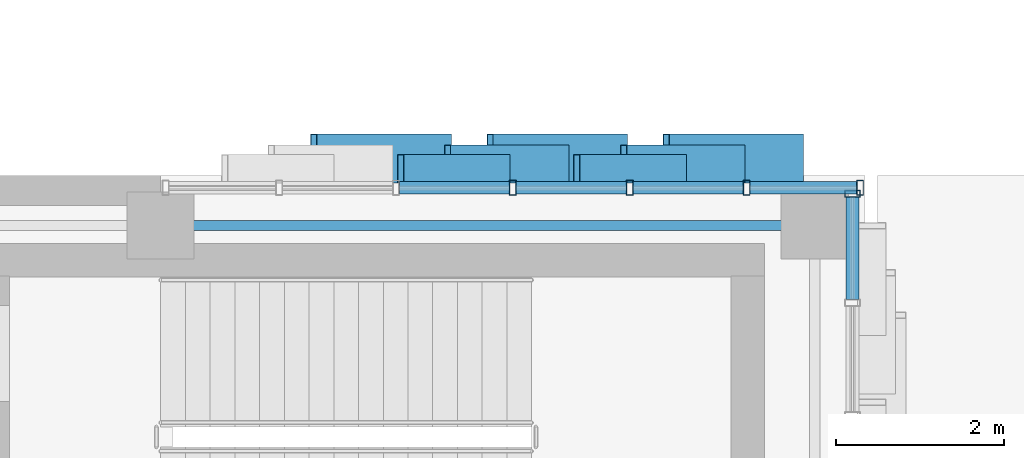
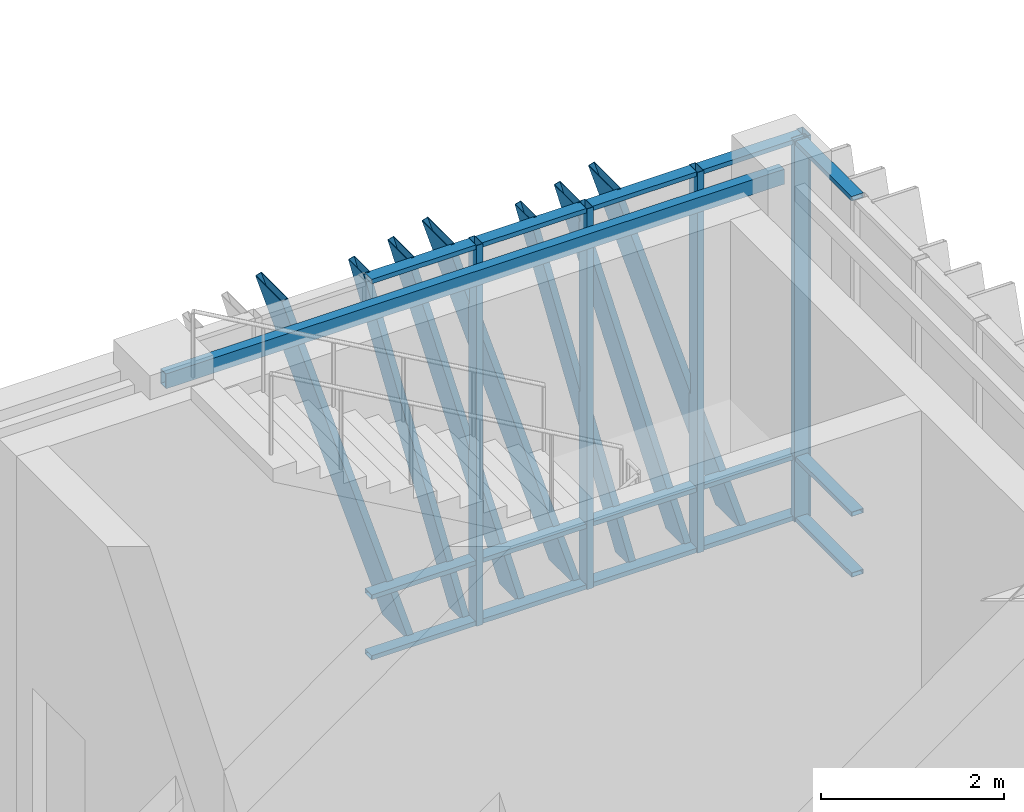
# One storey, part 65 of 122: 27 members, 1 beam, 2 elements without a shape of their own.
"""IFC4 building model written with IfcOpenShell, lengths in metres."""

import ifcopenshell
import ifcopenshell.guid

model = None  # the IFC model being written
_history = None  # IfcOwnerHistory: only IFC2X3 demands one
_inside = {}  # id of a spatial element -> (the spatial element, [elements in it])
_under = {}  # id of a project, library or spatial element -> (it, [spatial elements below it])
_declared = {}  # id of a project -> (the project, [libraries it declares])
_typed = {}  # id of a type object -> (the type object, [elements of that type])
_made_of = {}  # id of a material, layer set ... -> (it, [elements and type objects made of it])


def new_model(schema):
    """Start an empty IFC model of exactly this schema.

    Asked for "IFC4X3", IfcOpenShell would pick the latest addendum, in which some entities
    have other attributes; the version numbers below select the first issue.
    IFC2X3 requires an IfcOwnerHistory on every rooted entity: one is made here for all.
    """
    global model, _history
    if schema == "IFC4X3":
        model = ifcopenshell.file(schema_version=(4, 3, 0, 0))
    else:
        model = ifcopenshell.file(schema=schema)
    _inside.clear()
    _under.clear()
    _declared.clear()
    _typed.clear()
    _made_of.clear()
    _history = None
    if model.schema == "IFC2X3":
        org = make("IfcOrganization", Name="unknown")
        user = make(
            "IfcPersonAndOrganization",
            ThePerson=make("IfcPerson", FamilyName="unknown"),
            TheOrganization=org,
        )
        app = make(
            "IfcApplication",
            ApplicationDeveloper=org,
            Version="unknown",
            ApplicationFullName="unknown",
            ApplicationIdentifier="unknown",
        )
        _history = make(
            "IfcOwnerHistory",
            OwningUser=user,
            OwningApplication=app,
            ChangeAction="ADDED",
            CreationDate=0,
        )
    return model


def make(cls, **values):
    """One entity of the class cls with the attributes given. An attribute that is None is left unset."""
    return model.create_entity(
        cls, **{name: value for name, value in values.items() if value is not None}
    )


def rooted(cls, **values):
    """An entity with a GlobalId (a new one), such as an element, a storey or a relation."""
    return make(cls, GlobalId=ifcopenshell.guid.new(), OwnerHistory=_history, **values)


def si_unit(unit_type, name, prefix=None):
    """IfcSIUnit, for example si_unit("LENGTHUNIT", "METRE", prefix="MILLI")."""
    return make("IfcSIUnit", UnitType=unit_type, Prefix=prefix, Name=name)


def assignment(units):
    """IfcUnitAssignment: the units of a project."""
    return None if units is None else make("IfcUnitAssignment", Units=units)


def point(xyz):
    """IfcCartesianPoint."""
    return None if xyz is None else make("IfcCartesianPoint", Coordinates=xyz)


def direction(xyz):
    """IfcDirection."""
    return None if xyz is None else make("IfcDirection", DirectionRatios=xyz)


def frame(location, z_axis=None, x_axis=None):
    """IfcAxis2Placement3D, a coordinate frame: its origin and axes. An axis left out is left unset."""
    return make(
        "IfcAxis2Placement3D",
        Location=point(location),
        Axis=direction(z_axis),
        RefDirection=direction(x_axis),
    )


def frame_2d(location, x_axis=None):
    """IfcAxis2Placement2D, a coordinate frame in the plane: its origin and x axis."""
    return make(
        "IfcAxis2Placement2D", Location=point(location), RefDirection=direction(x_axis)
    )


def origin():
    """The frame at (0, 0, 0) with its axes left unset."""
    return frame((0.0, 0.0, 0.0))


def origin_2d():
    """The frame at (0, 0) in the plane with its x axis left unset."""
    return frame_2d((0.0, 0.0))


def place(relative_to, where):
    """IfcLocalPlacement: puts the frame where relative to a parent placement (None: the world)."""
    return make(
        "IfcLocalPlacement", PlacementRelTo=relative_to, RelativePlacement=where
    )


def context(
    kind, dimensions, precision=None, world=None, true_north=None, identifier=None
):
    """IfcGeometricRepresentationContext, for example the 3D "Model" context."""
    return make(
        "IfcGeometricRepresentationContext",
        ContextIdentifier=identifier,
        ContextType=kind,
        CoordinateSpaceDimension=dimensions,
        Precision=precision,
        WorldCoordinateSystem=world,
        TrueNorth=true_north,
    )


def subcontext(parent, identifier, kind, view, scale=None):
    """IfcGeometricRepresentationSubContext, for example "Body" below "Model"."""
    return make(
        "IfcGeometricRepresentationSubContext",
        ContextIdentifier=identifier,
        ContextType=kind,
        ParentContext=parent,
        TargetScale=scale,
        TargetView=view,
    )


def project(units=None, contexts=None):
    """IfcProject with its units and contexts."""
    return rooted(
        "IfcProject",
        Name="project",
        RepresentationContexts=contexts,
        UnitsInContext=assignment(units),
    )


def spatial(cls, under=None, at=None, **own):
    """A site, building, storey or space (cls), placed at a placement, below another one or the project."""
    s = rooted(cls, ObjectPlacement=at, **own)
    if under is not None:
        _under.setdefault(under.id(), (under, []))[1].append(s)
    return s


def profile(cls, at=None, kind="AREA", **sizes):
    """A parametric profile (cls). Its sizes go by their IFC names, for example OverallWidth=200.0."""
    return make(cls, ProfileType=kind, Position=at, **sizes)


def hollow_rectangle(**sizes):
    """IfcRectangleHollowProfileDef."""
    return profile("IfcRectangleHollowProfileDef", **sizes)


def extrude(swept, where, along, depth):
    """IfcExtrudedAreaSolid: the profile swept, set in the frame where, extruded along a direction by depth."""
    return make(
        "IfcExtrudedAreaSolid",
        SweptArea=swept,
        Position=where,
        ExtrudedDirection=direction(along),
        Depth=depth,
    )


def shape(context_of_items, identifier, shape_type, items):
    """IfcShapeRepresentation: the items that make up one representation, for example the "Body"."""
    return make(
        "IfcShapeRepresentation",
        ContextOfItems=context_of_items,
        RepresentationIdentifier=identifier,
        RepresentationType=shape_type,
        Items=items,
    )


def material(Name=None, Category=None):
    """IfcMaterial."""
    return make("IfcMaterial", Name=Name, Category=Category)


def layer(
    of_material, thickness, ventilated=None, Name=None, Category=None, Priority=None
):
    """IfcMaterialLayer: one layer of a wall or slab, of a material (None: an air gap)."""
    return make(
        "IfcMaterialLayer",
        Material=of_material,
        LayerThickness=thickness,
        IsVentilated=ventilated,
        Name=Name,
        Category=Category,
        Priority=Priority,
    )


def layer_set(layers, Name=None):
    """IfcMaterialLayerSet."""
    return make("IfcMaterialLayerSet", MaterialLayers=layers, LayerSetName=Name)


def material_profile(
    of_material, cross_section, Name=None, Category=None, Priority=None
):
    """IfcMaterialProfile: a cross section and its material."""
    return make(
        "IfcMaterialProfile",
        Name=Name,
        Material=of_material,
        Profile=cross_section,
        Priority=Priority,
        Category=Category,
    )


def profile_set(profiles, Name=None, composite=None):
    """IfcMaterialProfileSet."""
    return make(
        "IfcMaterialProfileSet",
        Name=Name,
        MaterialProfiles=profiles,
        CompositeProfile=composite,
    )


def made_of(thing, what):
    """Note that an element or type object is made of a material, layer set ...; save() writes the relation."""
    if what is not None:
        _made_of.setdefault(what.id(), (what, []))[1].append(thing)
    return thing


def type_object(cls, material=None, **own):
    """A type object (cls), such as IfcWallType, which elements share."""
    return made_of(rooted(cls, **own), material)


def element(
    cls,
    number,
    at=None,
    inside=None,
    cuts=None,
    type_object=None,
    material=None,
    context=None,
    identifier="Body",
    shape_type=None,
    held_by="IfcProductDefinitionShape",
    body=None,
    shapes=None,
    **own,
):
    """One element of the class cls, such as IfcWall. Its Tag is "e" and its number.

    at: its placement. inside: the storey or other place that contains it. cuts: it is an
    opening in that element (IfcRelVoidsElement). A single representation is given by context,
    identifier, shape_type and body (its items); several are given by shapes. held_by: the class
    of the entity that holds the representations. save() writes the other relations.
    """
    e = rooted(cls, Tag="e%d" % number, ObjectPlacement=at, **own)
    if body is not None:
        shapes = [shape(context, identifier, shape_type, body)]
    if shapes is not None:
        e.Representation = make(held_by, Representations=shapes)
    if inside is not None:
        _inside.setdefault(inside.id(), (inside, []))[1].append(e)
    if cuts is not None:
        rooted(
            "IfcRelVoidsElement", RelatingBuildingElement=cuts, RelatedOpeningElement=e
        )
    if type_object is not None:
        _typed.setdefault(type_object.id(), (type_object, []))[1].append(e)
    return made_of(e, material)


def aggregate(whole, parts):
    """IfcRelAggregates: a whole, such as a stair, and the parts it consists of."""
    return rooted("IfcRelAggregates", RelatingObject=whole, RelatedObjects=parts)


def save(model, path):
    """Write the relations noted so far, then the file.

    IfcRelAggregates (storeys below a building ...), IfcRelContainedInSpatialStructure (elements
    in a storey), IfcRelDefinesByType, IfcRelAssociatesMaterial and IfcRelDeclares: one each for
    every whole, place, type object, material and project.
    """
    for whole, parts in _under.values():
        aggregate(whole, parts)
    for where, things in _inside.values():
        rooted(
            "IfcRelContainedInSpatialStructure",
            RelatedElements=things,
            RelatingStructure=where,
        )
    for kind, things in _typed.values():
        rooted("IfcRelDefinesByType", RelatedObjects=things, RelatingType=kind)
    for what, things in _made_of.values():
        rooted("IfcRelAssociatesMaterial", RelatedObjects=things, RelatingMaterial=what)
    for by, libraries in _declared.values():
        rooted("IfcRelDeclares", RelatingContext=by, RelatedDefinitions=libraries)
    model.write(path)


model = new_model("IFC4")

# Units and contexts
model_context = context("Model", 3, precision=1e-05, world=origin(), true_north=direction((0.0, 1.0)))
body_context = subcontext(model_context, "Body", "Model", "MODEL_VIEW")
ifc_project = project(units=[si_unit("LENGTHUNIT", "METRE"), si_unit("AREAUNIT", "SQUARE_METRE"), si_unit("VOLUMEUNIT", "CUBIC_METRE"), si_unit("PLANEANGLEUNIT", "RADIAN"), si_unit("MASSUNIT", "GRAM", prefix="KILO")], contexts=[model_context])

# Site, building, storey
site_placement = place(None, origin())
site = spatial("IfcSite", under=ifc_project, at=site_placement, CompositionType="ELEMENT")
building_placement = place(site_placement, origin())
building = spatial("IfcBuilding", under=site, at=building_placement, Name="Zayran Congress Hotel", CompositionType="ELEMENT")
storey_placement = place(building_placement, origin())
storey = spatial("IfcBuildingStorey", under=building, at=storey_placement, Name="L00", CompositionType="ELEMENT", Elevation=0.0)

# Beam
ifc_material_1 = material(Name="Steel S355", Category="steel")
ifc_material_profile_1 = material_profile(ifc_material_1, hollow_rectangle(XDim=0.1201171875, YDim=0.199951171875, WallThickness=0.008056640625, at=origin_2d()), Name="RHS 200x120x8")
ifc_profile_set_1 = profile_set([ifc_material_profile_1], Name="Steel S355")
beam_type = type_object("IfcBeamType", Name="TP-SP-02", PredefinedType="SPANDREL", material=ifc_profile_set_1)
beam_placement = place(storey_placement, frame((84.0, 117.39990234375, 4.97998046875), z_axis=(1.0, 0.0, 0.0), x_axis=(0.0, 1.0, 0.0)))
element("IfcBeam", 1, at=beam_placement, inside=storey, type_object=beam_type, Name="BM-V1-L00-0444", PredefinedType="SPANDREL", context=body_context, shape_type="SweptSolid", body=[
    extrude(hollow_rectangle(XDim=0.1201171875, YDim=0.199951171875, WallThickness=0.008056640625, at=origin_2d()), origin(), (0.0, 0.0, 1.0), 7.800048828125),
])

# Curtain wall, members
ifc_material_2 = material(Name="Anodised aluminium and low-E insulated glass", Category="aluminium")
ifc_layer_1 = layer(ifc_material_2, 0.179931640625)
ifc_layer_set_1 = layer_set([ifc_layer_1], Name="Anodised aluminium and low-E insulated glass")
curtain_wall_type_1 = type_object("IfcCurtainWallType", Name="CW-V1N-L00-CW-21-8360-5080", PredefinedType="USERDEFINED", material=ifc_layer_set_1)
curtain_wall_1_placement = place(storey_placement, origin())
curtain_wall_1 = element("IfcCurtainWall", 2, at=curtain_wall_1_placement, inside=storey, type_object=curtain_wall_type_1, Name="CW-V1N-L00-9", ObjectType="CURTAIN WALL", PredefinedType="USERDEFINED")
ifc_material_3 = material(Name="Anodised aluminium framing", Category="aluminium")
ifc_material_profile_2 = material_profile(ifc_material_3, hollow_rectangle(XDim=0.080078125, YDim=0.179931640625, WallThickness=0.0048828125, at=origin_2d()), Name="RHS 180x80x5")
ifc_profile_set_2 = profile_set([ifc_material_profile_2], Name="Anodised aluminium framing")
member_type_1 = type_object("IfcMemberType", Name="TP-CWM-01", PredefinedType="MULLION", material=ifc_profile_set_2)
member_1_placement = place(storey_placement, frame((92.340087890625, 117.85009765625, 0.0), z_axis=(0.0, 0.0, 1.0), x_axis=(1.0, 0.0, 0.0)))
member_1 = element("IfcMember", 3, at=member_1_placement, type_object=member_type_1, Name="CW-V1N-L00-9-M00", PredefinedType="MULLION", context=body_context, shape_type="SweptSolid", body=[
    extrude(hollow_rectangle(XDim=0.080078125, YDim=0.179931640625, WallThickness=0.0048828125, at=origin_2d()), origin(), (0.0, 0.0, 1.0), 5.080078125),
])
member_2_placement = place(storey_placement, frame((90.98681640625, 117.85009765625, 0.0), z_axis=(0.0, 0.0, 1.0), x_axis=(1.0, 0.0, 0.0)))
member_2 = element("IfcMember", 4, at=member_2_placement, type_object=member_type_1, Name="CW-V1N-L00-9-M01", PredefinedType="MULLION", context=body_context, shape_type="SweptSolid", body=[
    extrude(hollow_rectangle(XDim=0.080078125, YDim=0.179931640625, WallThickness=0.0048828125, at=origin_2d()), origin(), (0.0, 0.0, 1.0), 5.080078125),
])
member_3_placement = place(storey_placement, frame((89.59326171875, 117.85009765625, 0.0), z_axis=(0.0, 0.0, 1.0), x_axis=(1.0, 0.0, 0.0)))
member_3 = element("IfcMember", 5, at=member_3_placement, type_object=member_type_1, Name="CW-V1N-L00-9-M02", PredefinedType="MULLION", context=body_context, shape_type="SweptSolid", body=[
    extrude(hollow_rectangle(XDim=0.080078125, YDim=0.179931640625, WallThickness=0.0048828125, at=origin_2d()), origin(), (0.0, 0.0, 1.0), 5.080078125),
])
member_4_placement = place(storey_placement, frame((88.199951171875, 117.85009765625, 0.0), z_axis=(0.0, 0.0, 1.0), x_axis=(1.0, 0.0, 0.0)))
member_4 = element("IfcMember", 6, at=member_4_placement, type_object=member_type_1, Name="CW-V1N-L00-9-M03", PredefinedType="MULLION", context=body_context, shape_type="SweptSolid", body=[
    extrude(hollow_rectangle(XDim=0.080078125, YDim=0.179931640625, WallThickness=0.0048828125, at=origin_2d()), origin(), (0.0, 0.0, 1.0), 5.080078125),
])

# Curtain wall, member
ifc_layer_2 = layer(ifc_material_2, 0.179931640625)
ifc_layer_set_2 = layer_set([ifc_layer_2], Name="Anodised aluminium and low-E insulated glass")
curtain_wall_type_2 = type_object("IfcCurtainWallType", Name="CW-V1E-L00-CW-42-8040-5080", PredefinedType="USERDEFINED", material=ifc_layer_set_2)
curtain_wall_2_placement = place(storey_placement, origin())
curtain_wall_2 = element("IfcCurtainWall", 7, at=curtain_wall_2_placement, inside=storey, type_object=curtain_wall_type_2, Name="CW-V1E-L00-5", ObjectType="CURTAIN WALL", PredefinedType="USERDEFINED")
member_5_placement = place(storey_placement, frame((92.25, 117.780029296875, 0.0), z_axis=(0.0, 0.0, 1.0), x_axis=(0.0, 1.0, 0.0)))
member_5 = element("IfcMember", 8, at=member_5_placement, type_object=member_type_1, Name="CW-V1E-L00-5-M06", PredefinedType="MULLION", context=body_context, shape_type="SweptSolid", body=[
    extrude(hollow_rectangle(XDim=0.080078125, YDim=0.179931640625, WallThickness=0.0048828125, at=origin_2d()), origin(), (0.0, 0.0, 1.0), 5.080078125),
])

# Member
ifc_material_profile_3 = material_profile(ifc_material_3, hollow_rectangle(XDim=0.06005859375, YDim=0.14990234375, WallThickness=0.00390625, at=origin_2d()), Name="RHS 150x60x4")
ifc_profile_set_3 = profile_set([ifc_material_profile_3], Name="Anodised aluminium framing")
member_type_2 = type_object("IfcMemberType", Name="TP-CWT-01", PredefinedType="USERDEFINED", material=ifc_profile_set_3)
member_6_placement = place(storey_placement, frame((92.300048828125, 117.85009765625, 0.030029296875), z_axis=(-1.0, 0.0, 0.0), x_axis=(0.0, 0.0, 1.0)))
member_6 = element("IfcMember", 9, at=member_6_placement, type_object=member_type_2, Name="CW-V1N-L00-9-T00-0", ObjectType="TRANSOM", PredefinedType="USERDEFINED", context=body_context, shape_type="SweptSolid", body=[
    extrude(hollow_rectangle(XDim=0.06005859375, YDim=0.14990234375, WallThickness=0.00390625, at=origin_2d()), origin(), (0.0, 0.0, 1.0), 1.2734375),
])

member_7_placement = place(storey_placement, frame((92.300048828125, 117.85009765625, 0.840087890625), z_axis=(-1.0, 0.0, 0.0), x_axis=(0.0, 0.0, 1.0)))
member_7 = element("IfcMember", 10, at=member_7_placement, type_object=member_type_2, Name="CW-V1N-L00-9-T00-1", ObjectType="TRANSOM", PredefinedType="USERDEFINED", context=body_context, shape_type="SweptSolid", body=[
    extrude(hollow_rectangle(XDim=0.06005859375, YDim=0.14990234375, WallThickness=0.00390625, at=origin_2d()), origin(), (0.0, 0.0, 1.0), 1.2734375),
])

member_8_placement = place(storey_placement, frame((92.300048828125, 117.85009765625, 5.050048828125), z_axis=(-1.0, 0.0, 0.0), x_axis=(0.0, 0.0, 1.0)))
member_8 = element("IfcMember", 11, at=member_8_placement, type_object=member_type_2, Name="CW-V1N-L00-9-T00-2", ObjectType="TRANSOM", PredefinedType="USERDEFINED", context=body_context, shape_type="SweptSolid", body=[
    extrude(hollow_rectangle(XDim=0.06005859375, YDim=0.14990234375, WallThickness=0.00390625, at=origin_2d()), origin(), (0.0, 0.0, 1.0), 1.2734375),
])

member_9_placement = place(storey_placement, frame((90.94677734375, 117.85009765625, 0.030029296875), z_axis=(-1.0, 0.0, 0.0), x_axis=(0.0, 0.0, 1.0)))
member_9 = element("IfcMember", 12, at=member_9_placement, type_object=member_type_2, Name="CW-V1N-L00-9-T01-0", ObjectType="TRANSOM", PredefinedType="USERDEFINED", context=body_context, shape_type="SweptSolid", body=[
    extrude(hollow_rectangle(XDim=0.06005859375, YDim=0.14990234375, WallThickness=0.00390625, at=origin_2d()), origin(), (0.0, 0.0, 1.0), 1.3134765625),
])

member_10_placement = place(storey_placement, frame((90.94677734375, 117.85009765625, 0.840087890625), z_axis=(-1.0, 0.0, 0.0), x_axis=(0.0, 0.0, 1.0)))
member_10 = element("IfcMember", 13, at=member_10_placement, type_object=member_type_2, Name="CW-V1N-L00-9-T01-1", ObjectType="TRANSOM", PredefinedType="USERDEFINED", context=body_context, shape_type="SweptSolid", body=[
    extrude(hollow_rectangle(XDim=0.06005859375, YDim=0.14990234375, WallThickness=0.00390625, at=origin_2d()), origin(), (0.0, 0.0, 1.0), 1.3134765625),
])

member_11_placement = place(storey_placement, frame((90.94677734375, 117.85009765625, 5.050048828125), z_axis=(-1.0, 0.0, 0.0), x_axis=(0.0, 0.0, 1.0)))
member_11 = element("IfcMember", 14, at=member_11_placement, type_object=member_type_2, Name="CW-V1N-L00-9-T01-2", ObjectType="TRANSOM", PredefinedType="USERDEFINED", context=body_context, shape_type="SweptSolid", body=[
    extrude(hollow_rectangle(XDim=0.06005859375, YDim=0.14990234375, WallThickness=0.00390625, at=origin_2d()), origin(), (0.0, 0.0, 1.0), 1.3134765625),
])

member_12_placement = place(storey_placement, frame((89.55322265625, 117.85009765625, 0.030029296875), z_axis=(-1.0, 0.0, 0.0), x_axis=(0.0, 0.0, 1.0)))
member_12 = element("IfcMember", 15, at=member_12_placement, type_object=member_type_2, Name="CW-V1N-L00-9-T02-0", ObjectType="TRANSOM", PredefinedType="USERDEFINED", context=body_context, shape_type="SweptSolid", body=[
    extrude(hollow_rectangle(XDim=0.06005859375, YDim=0.14990234375, WallThickness=0.00390625, at=origin_2d()), origin(), (0.0, 0.0, 1.0), 1.313232421875),
])

member_13_placement = place(storey_placement, frame((89.55322265625, 117.85009765625, 0.840087890625), z_axis=(-1.0, 0.0, 0.0), x_axis=(0.0, 0.0, 1.0)))
member_13 = element("IfcMember", 16, at=member_13_placement, type_object=member_type_2, Name="CW-V1N-L00-9-T02-1", ObjectType="TRANSOM", PredefinedType="USERDEFINED", context=body_context, shape_type="SweptSolid", body=[
    extrude(hollow_rectangle(XDim=0.06005859375, YDim=0.14990234375, WallThickness=0.00390625, at=origin_2d()), origin(), (0.0, 0.0, 1.0), 1.313232421875),
])

member_14_placement = place(storey_placement, frame((89.55322265625, 117.85009765625, 5.050048828125), z_axis=(-1.0, 0.0, 0.0), x_axis=(0.0, 0.0, 1.0)))
member_14 = element("IfcMember", 17, at=member_14_placement, type_object=member_type_2, Name="CW-V1N-L00-9-T02-2", ObjectType="TRANSOM", PredefinedType="USERDEFINED", context=body_context, shape_type="SweptSolid", body=[
    extrude(hollow_rectangle(XDim=0.06005859375, YDim=0.14990234375, WallThickness=0.00390625, at=origin_2d()), origin(), (0.0, 0.0, 1.0), 1.313232421875),
])

member_15_placement = place(storey_placement, frame((88.159912109375, 117.85009765625, 0.030029296875), z_axis=(-1.0, 0.0, 0.0), x_axis=(0.0, 0.0, 1.0)))
member_15 = element("IfcMember", 18, at=member_15_placement, type_object=member_type_2, Name="CW-V1N-L00-9-T03-0", ObjectType="TRANSOM", PredefinedType="USERDEFINED", context=body_context, shape_type="SweptSolid", body=[
    extrude(hollow_rectangle(XDim=0.06005859375, YDim=0.14990234375, WallThickness=0.00390625, at=origin_2d()), origin(), (0.0, 0.0, 1.0), 1.313232421875),
])

member_16_placement = place(storey_placement, frame((88.159912109375, 117.85009765625, 0.840087890625), z_axis=(-1.0, 0.0, 0.0), x_axis=(0.0, 0.0, 1.0)))
member_16 = element("IfcMember", 19, at=member_16_placement, type_object=member_type_2, Name="CW-V1N-L00-9-T03-1", ObjectType="TRANSOM", PredefinedType="USERDEFINED", context=body_context, shape_type="SweptSolid", body=[
    extrude(hollow_rectangle(XDim=0.06005859375, YDim=0.14990234375, WallThickness=0.00390625, at=origin_2d()), origin(), (0.0, 0.0, 1.0), 1.313232421875),
])

member_17_placement = place(storey_placement, frame((88.159912109375, 117.85009765625, 5.050048828125), z_axis=(-1.0, 0.0, 0.0), x_axis=(0.0, 0.0, 1.0)))
member_17 = element("IfcMember", 20, at=member_17_placement, type_object=member_type_2, Name="CW-V1N-L00-9-T03-2", ObjectType="TRANSOM", PredefinedType="USERDEFINED", context=body_context, shape_type="SweptSolid", body=[
    extrude(hollow_rectangle(XDim=0.06005859375, YDim=0.14990234375, WallThickness=0.00390625, at=origin_2d()), origin(), (0.0, 0.0, 1.0), 1.313232421875),
])

member_18_placement = place(storey_placement, frame((92.25, 116.52001953125, 0.030029296875), z_axis=(0.0, 1.0, 0.0), x_axis=(0.0, 0.0, 1.0)))
member_18 = element("IfcMember", 21, at=member_18_placement, type_object=member_type_2, Name="CW-V1E-L00-5-T05-0", ObjectType="TRANSOM", PredefinedType="USERDEFINED", context=body_context, shape_type="SweptSolid", body=[
    extrude(hollow_rectangle(XDim=0.06005859375, YDim=0.14990234375, WallThickness=0.00390625, at=origin_2d()), origin(), (0.0, 0.0, 1.0), 1.219970703125),
])

member_19_placement = place(storey_placement, frame((92.25, 116.52001953125, 0.840087890625), z_axis=(0.0, 1.0, 0.0), x_axis=(0.0, 0.0, 1.0)))
member_19 = element("IfcMember", 22, at=member_19_placement, type_object=member_type_2, Name="CW-V1E-L00-5-T05-1", ObjectType="TRANSOM", PredefinedType="USERDEFINED", context=body_context, shape_type="SweptSolid", body=[
    extrude(hollow_rectangle(XDim=0.06005859375, YDim=0.14990234375, WallThickness=0.00390625, at=origin_2d()), origin(), (0.0, 0.0, 1.0), 1.219970703125),
])

member_20_placement = place(storey_placement, frame((92.25, 116.52001953125, 5.050048828125), z_axis=(0.0, 1.0, 0.0), x_axis=(0.0, 0.0, 1.0)))
member_20 = element("IfcMember", 23, at=member_20_placement, type_object=member_type_2, Name="CW-V1E-L00-5-T05-2", ObjectType="TRANSOM", PredefinedType="USERDEFINED", context=body_context, shape_type="SweptSolid", body=[
    extrude(hollow_rectangle(XDim=0.06005859375, YDim=0.14990234375, WallThickness=0.00390625, at=origin_2d()), origin(), (0.0, 0.0, 1.0), 1.219970703125),
])

aggregate(curtain_wall_2, [member_5, member_18, member_19, member_20])

ifc_material_4 = material(Name="Warm bronze anodised aluminium", Category="aluminium")
ifc_material_profile_4 = material_profile(ifc_material_4, hollow_rectangle(XDim=0.080078125, YDim=0.580078125, WallThickness=0.006103515625, at=origin_2d()), Name="RHS 580x80x6")
ifc_profile_set_4 = profile_set([ifc_material_profile_4], Name="Warm bronze anodised aluminium")
member_type_3 = type_object("IfcMemberType", Name="TP-RFN-01", PredefinedType="MULLION", material=ifc_profile_set_4)
member_21_placement = place(storey_placement, frame((91.6298828125, 118.199951171875, 0.0), z_axis=(-0.300675065474, 0.0, 0.953726640606), x_axis=(0.953726640606, 0.0, 0.300675065474)))
member_21 = element("IfcMember", 24, at=member_21_placement, type_object=member_type_3, Name="Slanting Reed Mullion CW-21-01", PredefinedType="MULLION", context=body_context, shape_type="SweptSolid", body=[
    extrude(hollow_rectangle(XDim=0.080078125, YDim=0.580078125, WallThickness=0.006103515625, at=origin_2d()), origin(), (0.0, 0.0, 1.0), 5.32666015625),
])

member_22_placement = place(storey_placement, frame((89.530029296875, 118.199951171875, 0.0), z_axis=(-0.300716755525, 0.0, 0.953713496259), x_axis=(0.953713496259, 0.0, 0.300716755525)))
member_22 = element("IfcMember", 25, at=member_22_placement, type_object=member_type_3, Name="Slanting Reed Mullion CW-21-04", PredefinedType="MULLION", context=body_context, shape_type="SweptSolid", body=[
    extrude(hollow_rectangle(XDim=0.080078125, YDim=0.580078125, WallThickness=0.006103515625, at=origin_2d()), origin(), (0.0, 0.0, 1.0), 5.32666015625),
])

member_23_placement = place(storey_placement, frame((87.429931640625, 118.199951171875, 0.0), z_axis=(-0.300675065474, 0.0, 0.953726640606), x_axis=(0.953726640606, 0.0, 0.300675065474)))
member_23 = element("IfcMember", 26, at=member_23_placement, type_object=member_type_3, Name="Slanting Reed Mullion CW-21-07", PredefinedType="MULLION", context=body_context, shape_type="SweptSolid", body=[
    extrude(hollow_rectangle(XDim=0.080078125, YDim=0.580078125, WallThickness=0.006103515625, at=origin_2d()), origin(), (0.0, 0.0, 1.0), 5.32666015625),
])

ifc_material_profile_5 = material_profile(ifc_material_4, hollow_rectangle(XDim=0.080078125, YDim=0.449951171875, WallThickness=0.006103515625, at=origin_2d()), Name="RHS 450x80x6")
ifc_profile_set_5 = profile_set([ifc_material_profile_5], Name="Warm bronze anodised aluminium")
member_type_4 = type_object("IfcMemberType", Name="TP-RFN-02", PredefinedType="MULLION", material=ifc_profile_set_5)
member_24_placement = place(storey_placement, frame((90.929931640625, 118.135009765625, 0.0), z_axis=(-0.267213902124, 0.0, 0.963637240102), x_axis=(0.963637240102, 0.0, 0.267213902124)))
member_24 = element("IfcMember", 27, at=member_24_placement, type_object=member_type_4, Name="Slanting Reed Mullion CW-21-02", PredefinedType="MULLION", context=body_context, shape_type="SweptSolid", body=[
    extrude(hollow_rectangle(XDim=0.080078125, YDim=0.449951171875, WallThickness=0.006103515625, at=origin_2d()), origin(), (0.0, 0.0, 1.0), 5.271728515625),
])

member_25_placement = place(storey_placement, frame((88.830078125, 118.135009765625, 0.0), z_axis=(-0.267256905477, 0.0, 0.96362531436), x_axis=(0.96362531436, 0.0, 0.267256905477)))
member_25 = element("IfcMember", 28, at=member_25_placement, type_object=member_type_4, Name="Slanting Reed Mullion CW-21-05", PredefinedType="MULLION", context=body_context, shape_type="SweptSolid", body=[
    extrude(hollow_rectangle(XDim=0.080078125, YDim=0.449951171875, WallThickness=0.006103515625, at=origin_2d()), origin(), (0.0, 0.0, 1.0), 5.271728515625),
])

ifc_material_profile_6 = material_profile(ifc_material_4, hollow_rectangle(XDim=0.080078125, YDim=0.340087890625, WallThickness=0.006103515625, at=origin_2d()), Name="RHS 340x80x6")
ifc_profile_set_6 = profile_set([ifc_material_profile_6], Name="Warm bronze anodised aluminium")
member_type_5 = type_object("IfcMemberType", Name="TP-RFN-03", PredefinedType="MULLION", material=ifc_profile_set_6)
member_26_placement = place(storey_placement, frame((90.22998046875, 118.080078125, 0.0), z_axis=(-0.241921145618, 0.0, 0.970295913267), x_axis=(0.970295913267, 0.0, 0.241921145618)))
member_26 = element("IfcMember", 29, at=member_26_placement, type_object=member_type_5, Name="Slanting Reed Mullion CW-21-03", PredefinedType="MULLION", context=body_context, shape_type="SweptSolid", body=[
    extrude(hollow_rectangle(XDim=0.080078125, YDim=0.340087890625, WallThickness=0.006103515625, at=origin_2d()), origin(), (0.0, 0.0, 1.0), 5.235595703125),
])

member_27_placement = place(storey_placement, frame((88.1298828125, 118.080078125, 0.0), z_axis=(-0.241921145618, 0.0, 0.970295913267), x_axis=(0.970295913267, 0.0, 0.241921145618)))
member_27 = element("IfcMember", 30, at=member_27_placement, type_object=member_type_5, Name="Slanting Reed Mullion CW-21-06", PredefinedType="MULLION", context=body_context, shape_type="SweptSolid", body=[
    extrude(hollow_rectangle(XDim=0.080078125, YDim=0.340087890625, WallThickness=0.006103515625, at=origin_2d()), origin(), (0.0, 0.0, 1.0), 5.235595703125),
])

aggregate(curtain_wall_1, [member_1, member_2, member_3, member_4, member_6, member_7, member_8, member_9, member_10, member_11, member_12, member_13, member_14, member_15, member_16, member_17, member_21, member_24, member_26, member_22, member_25, member_27, member_23])

save(model, "model.ifc")
